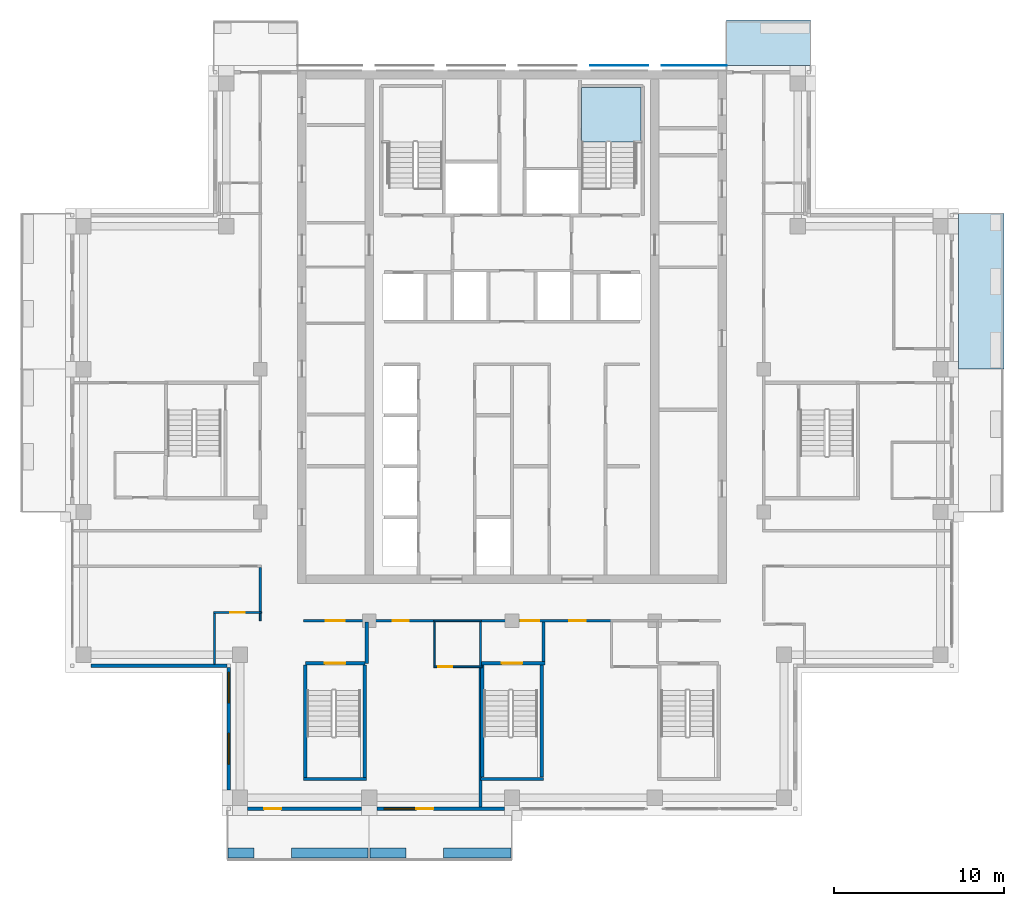
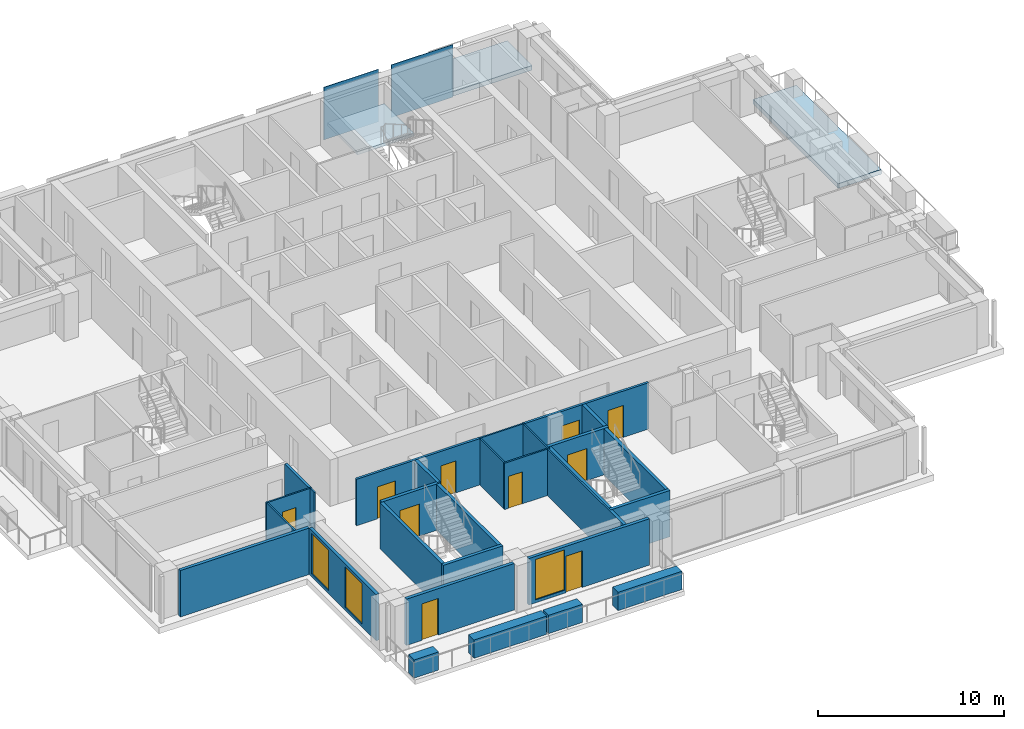
# One storey, part 6 of 16: 29 walls, 10 doors, 3 slabs, 3 windows, 2 plates, 13 openings, 1 element without a shape of its own.
"""IFC4 building model written with IfcOpenShell, lengths in metres."""

from ifc_helpers import new_model, si_unit, direction, frame, frame_2d, origin, origin_2d, place, context, subcontext, project, spatial, polyline, rectangle, outline, extrude, material, layer, layer_set, type_object, element, fill, aggregate, save


model = new_model("IFC4")

# Units and contexts
model_context = context("Model", 3, precision=1e-05, world=origin(), true_north=direction((0.0, 1.0)))
body_context = subcontext(model_context, "Body", "Model", "MODEL_VIEW")
ifc_project = project(units=[si_unit("LENGTHUNIT", "METRE"), si_unit("AREAUNIT", "SQUARE_METRE"), si_unit("VOLUMEUNIT", "CUBIC_METRE"), si_unit("PLANEANGLEUNIT", "RADIAN"), si_unit("MASSUNIT", "GRAM", prefix="KILO")], contexts=[model_context])

# Site, building, storey
site_placement = place(None, origin())
site = spatial("IfcSite", under=ifc_project, at=site_placement, CompositionType="ELEMENT")
building_placement = place(site_placement, origin())
building = spatial("IfcBuilding", under=site, at=building_placement, Name="Vermilion Ogive Tower", CompositionType="ELEMENT")
storey_placement = place(building_placement, frame((0.0, 0.0, 251.050048828125)))
storey = spatial("IfcBuildingStorey", under=building, at=storey_placement, Name="L66", CompositionType="ELEMENT", Elevation=251.050048828125)

# Slabs
ifc_material_1 = material(Name="Concrete B40", Category="concrete")
ifc_layer_1 = layer(ifc_material_1, 0.300048828125)
ifc_layer_set_1 = layer_set([ifc_layer_1], Name="Balcony slab")
slab_type_1 = type_object("IfcSlabType", Name="Balcony slab", PredefinedType="FLOOR", material=ifc_layer_set_1)
slab_1_placement = place(storey_placement, frame((0.0, 0.0, -0.340087890625)))
element("IfcSlab", 1, at=slab_1_placement, inside=storey, type_object=slab_type_1, Name="Balcony slab E03", PredefinedType="FLOOR", context=body_context, shape_type="SweptSolid", body=[
    extrude(outline(polyline([(28.93359375, 4.199951171875), (28.93359375, 13.35009765625), (26.25, 13.35009765625), (26.25, 4.199951171875), (28.93359375, 4.199951171875)])), origin(), (0.0, 0.0, 1.0), 0.300048828125),
])
slab_2_placement = place(storey_placement, frame((0.0, 0.0, -0.340087890625)))
element("IfcSlab", 2, at=slab_2_placement, inside=storey, type_object=slab_type_1, Name="Balcony slab N101", PredefinedType="FLOOR", context=body_context, shape_type="SweptSolid", body=[
    extrude(outline(polyline([(17.550048828125, 24.733642578125), (12.60009765625, 24.733642578125), (12.60009765625, 22.050048828125), (17.550048828125, 22.050048828125), (17.550048828125, 24.733642578125)])), origin(), (0.0, 0.0, 1.0), 0.300048828125),
])

# Plates
ifc_material_2 = material(Name="Low-iron laminated glazing in aluminium frame", Category="aluminium")
ifc_layer_2 = layer(ifc_material_2, 0.031982421875)
ifc_layer_set_2 = layer_set([ifc_layer_2], Name="Glazed rainscreen sheet 32")
plate_type = type_object("IfcPlateType", Name="Glazed rainscreen sheet 32", PredefinedType="SHEET", material=ifc_layer_set_2)
plate_1_placement = place(storey_placement, frame((6.300048828125, 22.06591796875, -0.39990234375), z_axis=(0.0, 0.0, 1.0), x_axis=(1.0, 0.0, 0.0)))
element("IfcPlate", 3, at=plate_1_placement, inside=storey, type_object=plate_type, Name="Glazed rainscreen sheet N5", PredefinedType="SHEET", context=body_context, shape_type="SweptSolid", body=[
    extrude(rectangle(XDim=3.39990234375, YDim=0.031982421875, at=origin_2d()), origin(), (0.0, 0.0, 1.0), 3.449951171875),
])
plate_2_placement = place(storey_placement, frame((10.7099609375, 22.06591796875, -0.39990234375), z_axis=(0.0, 0.0, 1.0), x_axis=(1.0, 0.0, 0.0)))
element("IfcPlate", 4, at=plate_2_placement, inside=storey, type_object=plate_type, Name="Glazed rainscreen sheet N6", PredefinedType="SHEET", context=body_context, shape_type="SweptSolid", body=[
    extrude(rectangle(XDim=3.820068359375, YDim=0.031982421875, at=origin_2d()), origin(), (0.0, 0.0, 1.0), 3.449951171875),
])

# Stair, slab
ifc_material_3 = material(Name="Concrete B40", Category="concrete")
stair_type = type_object("IfcStairType", Name="Exit stair 1500", PredefinedType="HALF_TURN_STAIR", material=ifc_material_3)
stair_placement = place(storey_placement, origin())
stair = element("IfcStair", 5, at=stair_placement, inside=storey, type_object=stair_type, Name="L66 Exit Stair ST2", PredefinedType="HALF_TURN_STAIR")
ifc_material_4 = material(Name="Concrete B40", Category="concrete")
ifc_layer_3 = layer(ifc_material_4, 0.199951171875)
ifc_layer_set_3 = layer_set([ifc_layer_3], Name="Stair landing 200")
slab_type_2 = type_object("IfcSlabType", Name="Stair landing 200", PredefinedType="LANDING", material=ifc_layer_set_3)
slab_3_placement = place(storey_placement, frame((0.0, 0.0, 1.52490234375)))
slab_3 = element("IfcSlab", 6, at=slab_3_placement, type_object=slab_type_2, Name="ST2 landing 1", PredefinedType="LANDING", context=body_context, shape_type="SweptSolid", body=[
    extrude(outline(polyline([(5.60009765625, 17.550048828125), (5.75, 17.550048828125), (5.75, 17.548095703125), (7.25, 17.548095703125), (7.25, 17.550048828125), (7.60009765625, 17.550048828125), (7.60009765625, 20.75), (4.074951171875, 20.75), (4.074951171875, 17.550048828125), (4.10009765625, 17.550048828125), (4.10009765625, 17.548095703125), (5.60009765625, 17.548095703125), (5.60009765625, 17.550048828125)])), origin(), (0.0, 0.0, 1.0), 0.199951171875),
])
aggregate(stair, [slab_3])

# Wall, opening, door
ifc_material_5 = material(Name="Gypsum board partition on steel studs", Category="steel")
ifc_layer_4 = layer(ifc_material_5, 0.10009765625)
ifc_layer_set_4 = layer_set([ifc_layer_4], Name="Partition 100 bath")
wall_type_1 = type_object("IfcWallType", Name="Partition 100 bath", PredefinedType="PARTITIONING", material=ifc_layer_set_4)
wall_1_placement = place(storey_placement, frame((-4.60009765625, -13.300048828125, 0.0), z_axis=(0.0, 0.0, 1.0), x_axis=(1.0, 0.0, 0.0)))
wall_1 = element("IfcWall", 7, at=wall_1_placement, inside=storey, type_object=wall_type_1, Name="L66-W-W002", PredefinedType="PARTITIONING", context=body_context, shape_type="SweptSolid", body=[
    extrude(rectangle(XDim=2.85009765625, YDim=0.10009765625, at=frame_2d((1.425048828125, 0.0))), origin(), (0.0, 0.0, 1.0), 3.050048828125),
])
opening_1_placement = place(wall_1_placement, frame((0.25, 0.0, 0.0)))
opening_1 = element("IfcOpeningElement", 8, at=opening_1_placement, cuts=wall_1, Name="Opening D5G4009", PredefinedType="OPENING", context=body_context, shape_type="SweptSolid", body=[
    extrude(rectangle(XDim=0.85009765625, YDim=2.10009765625, at=frame_2d((0.425048828125, 1.050048828125))), frame((0.0, 0.06005859375, 0.0), z_axis=(0.0, -1.0, 0.0), x_axis=(1.0, 0.0, 0.0)), (0.0, 0.0, 1.0), 0.1201171875),
])
ifc_material_6 = material(Name="Timber door leaf", Category="wood")
door_type_1 = type_object("IfcDoorType", Name="Bath door 850 x 2100 FD30", OperationType="SINGLE_SWING_LEFT", PredefinedType="DOOR", material=ifc_material_6)
door_1_placement = place(opening_1_placement, origin())
door_1 = element("IfcDoor", 9, at=door_1_placement, inside=storey, type_object=door_type_1, Name="L66-D-D009", OperationType="SINGLE_SWING_LEFT", OverallHeight=2.10009765625, OverallWidth=0.85009765625, PredefinedType="DOOR", context=body_context, shape_type="SweptSolid", body=[
    extrude(rectangle(XDim=0.85009765625, YDim=2.10009765625, at=frame_2d((0.425048828125, 1.050048828125))), frame((0.0, 0.02490234375, 0.0), z_axis=(0.0, -1.0, 0.0), x_axis=(1.0, 0.0, 0.0)), (0.0, 0.0, 1.0), 0.050048828125),
])
fill(opening_1, door_1)

# Wall
wall_2_placement = place(storey_placement, frame((-4.60009765625, -10.60009765625, 0.0), z_axis=(0.0, 0.0, 1.0), x_axis=(1.0, 0.0, 0.0)))
element("IfcWall", 10, at=wall_2_placement, inside=storey, type_object=wall_type_1, Name="L66-W-W009", PredefinedType="PARTITIONING", context=body_context, shape_type="SweptSolid", body=[
    extrude(rectangle(XDim=2.800048828125, YDim=0.10009765625, at=frame_2d((1.39990234375, 0.0))), origin(), (0.0, 0.0, 1.0), 3.050048828125),
])

# Wall, opening, door
wall_3_placement = place(storey_placement, frame((-17.550048828125, -10.110107421875, 0.0), z_axis=(0.0, 0.0, 1.0), x_axis=(1.0, 0.0, 0.0)))
wall_3 = element("IfcWall", 11, at=wall_3_placement, inside=storey, type_object=wall_type_1, Name="L66-W-W013", PredefinedType="PARTITIONING", context=body_context, shape_type="SweptSolid", body=[
    extrude(rectangle(XDim=2.824951171875, YDim=0.10009765625, at=frame_2d((1.41259765625, 0.0))), origin(), (0.0, 0.0, 1.0), 3.050048828125),
])
opening_2_placement = place(wall_3_placement, frame((0.97509765625, 0.0, 0.0)))
opening_2 = element("IfcOpeningElement", 12, at=opening_2_placement, cuts=wall_3, Name="Opening D5G4002", PredefinedType="OPENING", context=body_context, shape_type="SweptSolid", body=[
    extrude(rectangle(XDim=0.85009765625, YDim=2.10009765625, at=frame_2d((0.425048828125, 1.050048828125))), frame((0.0, 0.06005859375, 0.0), z_axis=(0.0, -1.0, 0.0), x_axis=(1.0, 0.0, 0.0)), (0.0, 0.0, 1.0), 0.1201171875),
])
door_2_placement = place(opening_2_placement, origin())
door_2 = element("IfcDoor", 13, at=door_2_placement, inside=storey, type_object=door_type_1, Name="L66-D-D002", OperationType="SINGLE_SWING_RIGHT", OverallHeight=2.10009765625, OverallWidth=0.85009765625, PredefinedType="DOOR", context=body_context, shape_type="SweptSolid", body=[
    extrude(rectangle(XDim=0.85009765625, YDim=2.10009765625, at=frame_2d((0.425048828125, 1.050048828125))), frame((0.0, 0.02490234375, 0.0), z_axis=(0.0, -1.0, 0.0), x_axis=(1.0, 0.0, 0.0)), (0.0, 0.0, 1.0), 0.050048828125),
])
fill(opening_2, door_2)

# Walls
wall_4_placement = place(storey_placement, frame((-17.5, -13.14990234375, 0.0), z_axis=(0.0, 0.0, 1.0), x_axis=(0.0, 1.0, 0.0)))
element("IfcWall", 14, at=wall_4_placement, inside=storey, type_object=wall_type_1, Name="L66-W-W038", PredefinedType="PARTITIONING", context=body_context, shape_type="SweptSolid", body=[
    extrude(rectangle(XDim=2.989990234375, YDim=0.10009765625, at=frame_2d((1.4951171875, 0.0))), origin(), (0.0, 0.0, 1.0), 3.050048828125),
])
wall_5_placement = place(storey_placement, frame((-14.800048828125, -10.60009765625, 0.0), z_axis=(0.0, 0.0, 1.0), x_axis=(0.0, 1.0, 0.0)))
element("IfcWall", 15, at=wall_5_placement, inside=storey, type_object=wall_type_1, Name="L66-W-W041", PredefinedType="PARTITIONING", context=body_context, shape_type="SweptSolid", body=[
    extrude(rectangle(XDim=0.440185546875, YDim=0.10009765625, at=frame_2d((0.22021484375, 0.0))), origin(), (0.0, 0.0, 1.0), 3.050048828125),
])
for number, where, z_axis, x_axis, name in (
    (16, (-4.550048828125, -13.25, 0.0), (0.0, 0.0, 1.0), (0.0, 1.0, 0.0), "L66-W-W047"),
    (17, (-1.85009765625, -13.25, 0.0), (0.0, 0.0, 1.0), (0.0, 1.0, 0.0), "L66-W-W049"),
):
    element("IfcWall", number, at=place(storey_placement, frame(where, z_axis=z_axis, x_axis=x_axis)), inside=storey, type_object=wall_type_1, Name=name, PredefinedType="PARTITIONING", context=body_context, shape_type="SweptSolid", body=[
        extrude(rectangle(XDim=2.574951171875, YDim=0.10009765625, at=frame_2d((1.28759765625, 0.0))), origin(), (0.0, 0.0, 1.0), 3.050048828125),
    ])

# Wall, openings, doors
ifc_material_7 = material(Name="Gypsum board partition on steel studs", Category="steel")
ifc_layer_5 = layer(ifc_material_7, 0.14990234375)
ifc_layer_set_5 = layer_set([ifc_layer_5], Name="Partition 150 corridor")
wall_type_2 = type_object("IfcWallType", Name="Partition 150 corridor", PredefinedType="PARTITIONING", material=ifc_layer_set_5)
wall_6_placement = place(storey_placement, frame((-12.25, -10.60009765625, 0.0), z_axis=(0.0, 0.0, 1.0), x_axis=(1.0, 0.0, 0.0)))
wall_6 = element("IfcWall", 18, at=wall_6_placement, inside=storey, type_object=wall_type_2, Name="L66-W-W008", PredefinedType="PARTITIONING", context=body_context, shape_type="SweptSolid", body=[
    extrude(rectangle(XDim=7.75, YDim=0.14990234375, at=frame_2d((3.875, 0.0))), origin(), (0.0, 0.0, 1.0), 3.050048828125),
])
opening_3_placement = place(wall_6_placement, frame((5.22509765625, 0.0, 0.0)))
opening_3 = element("IfcOpeningElement", 19, at=opening_3_placement, cuts=wall_6, Name="Opening D5G4008", PredefinedType="OPENING", context=body_context, shape_type="SweptSolid", body=[
    extrude(rectangle(XDim=0.949951171875, YDim=2.10009765625, at=frame_2d((0.47509765625, 1.050048828125))), frame((0.0, 0.0849609375, 0.0), z_axis=(0.0, -1.0, 0.0), x_axis=(1.0, 0.0, 0.0)), (0.0, 0.0, 1.0), 0.169921875),
])
opening_4_placement = place(wall_6_placement, frame((1.300048828125, 0.0, 0.0)))
opening_4 = element("IfcOpeningElement", 20, at=opening_4_placement, cuts=wall_6, Name="Opening D5G4020", PredefinedType="OPENING", context=body_context, shape_type="SweptSolid", body=[
    extrude(rectangle(XDim=1.10009765625, YDim=2.10009765625, at=frame_2d((0.550048828125, 1.050048828125))), frame((0.0, 0.0849609375, 0.0), z_axis=(0.0, -1.0, 0.0), x_axis=(1.0, 0.0, 0.0)), (0.0, 0.0, 1.0), 0.169921875),
])
ifc_material_8 = material(Name="Timber door leaf", Category="wood")
door_type_2 = type_object("IfcDoorType", Name="Stair door 1100 x 2100 FD60S", OperationType="SINGLE_SWING_LEFT", PredefinedType="DOOR", material=ifc_material_8)
door_3_placement = place(opening_4_placement, origin())
door_3 = element("IfcDoor", 21, at=door_3_placement, inside=storey, type_object=door_type_2, Name="L66-D-D020", OperationType="SINGLE_SWING_RIGHT", OverallHeight=2.10009765625, OverallWidth=1.10009765625, PredefinedType="DOOR", context=body_context, shape_type="SweptSolid", body=[
    extrude(rectangle(XDim=1.10009765625, YDim=2.10009765625, at=frame_2d((0.550048828125, 1.050048828125))), frame((0.0, 0.02490234375, 0.0), z_axis=(0.0, -1.0, 0.0), x_axis=(1.0, 0.0, 0.0)), (0.0, 0.0, 1.0), 0.050048828125),
])
fill(opening_4, door_3)
ifc_material_9 = material(Name="Timber door leaf", Category="wood")
door_type_3 = type_object("IfcDoorType", Name="Unit door 950 x 2100 FD30S", OperationType="SINGLE_SWING_LEFT", PredefinedType="DOOR", material=ifc_material_9)
door_4_placement = place(opening_3_placement, origin())
door_4 = element("IfcDoor", 22, at=door_4_placement, inside=storey, type_object=door_type_3, Name="L66-D-D008", OperationType="SINGLE_SWING_LEFT", OverallHeight=2.10009765625, OverallWidth=0.949951171875, PredefinedType="DOOR", context=body_context, shape_type="SweptSolid", body=[
    extrude(rectangle(XDim=0.949951171875, YDim=2.10009765625, at=frame_2d((0.47509765625, 1.050048828125))), frame((0.0, 0.02490234375, 0.0), z_axis=(0.0, -1.0, 0.0), x_axis=(1.0, 0.0, 0.0)), (0.0, 0.0, 1.0), 0.050048828125),
])
fill(opening_3, door_4)

wall_7_placement = place(storey_placement, frame((-1.89990234375, -10.60009765625, 0.0), z_axis=(0.0, 0.0, 1.0), x_axis=(1.0, 0.0, 0.0)))
wall_7 = element("IfcWall", 23, at=wall_7_placement, inside=storey, type_object=wall_type_2, Name="L66-W-W010", PredefinedType="PARTITIONING", context=body_context, shape_type="SweptSolid", body=[
    extrude(rectangle(XDim=7.7998046875, YDim=0.14990234375, at=frame_2d((3.89990234375, 0.0))), origin(), (0.0, 0.0, 1.0), 3.050048828125),
])
opening_5_placement = place(wall_7_placement, frame((5.27490234375, 0.0, 0.0)))
opening_5 = element("IfcOpeningElement", 24, at=opening_5_placement, cuts=wall_7, Name="Opening D5G4010", PredefinedType="OPENING", context=body_context, shape_type="SweptSolid", body=[
    extrude(rectangle(XDim=0.949951171875, YDim=2.10009765625, at=frame_2d((0.47509765625, 1.050048828125))), frame((0.0, 0.0849609375, 0.0), z_axis=(0.0, -1.0, 0.0), x_axis=(1.0, 0.0, 0.0)), (0.0, 0.0, 1.0), 0.169921875),
])
opening_6_placement = place(wall_7_placement, frame((2.39990234375, 0.0, 0.0)))
opening_6 = element("IfcOpeningElement", 25, at=opening_6_placement, cuts=wall_7, Name="Opening D5G4022", PredefinedType="OPENING", context=body_context, shape_type="SweptSolid", body=[
    extrude(rectangle(XDim=1.10009765625, YDim=2.10009765625, at=frame_2d((0.550048828125, 1.050048828125))), frame((0.0, 0.0849609375, 0.0), z_axis=(0.0, -1.0, 0.0), x_axis=(1.0, 0.0, 0.0)), (0.0, 0.0, 1.0), 0.169921875),
])
door_5_placement = place(opening_6_placement, origin())
door_5 = element("IfcDoor", 26, at=door_5_placement, inside=storey, type_object=door_type_2, Name="L66-D-D022", OperationType="SINGLE_SWING_LEFT", OverallHeight=2.10009765625, OverallWidth=1.10009765625, PredefinedType="DOOR", context=body_context, shape_type="SweptSolid", body=[
    extrude(rectangle(XDim=1.10009765625, YDim=2.10009765625, at=frame_2d((0.550048828125, 1.050048828125))), frame((0.0, 0.02490234375, 0.0), z_axis=(0.0, -1.0, 0.0), x_axis=(1.0, 0.0, 0.0)), (0.0, 0.0, 1.0), 0.050048828125),
])
fill(opening_6, door_5)
door_6_placement = place(opening_5_placement, origin())
door_6 = element("IfcDoor", 27, at=door_6_placement, inside=storey, type_object=door_type_3, Name="L66-D-D010", OperationType="SINGLE_SWING_LEFT", OverallHeight=2.10009765625, OverallWidth=0.949951171875, PredefinedType="DOOR", context=body_context, shape_type="SweptSolid", body=[
    extrude(rectangle(XDim=0.949951171875, YDim=2.10009765625, at=frame_2d((0.47509765625, 1.050048828125))), frame((0.0, 0.02490234375, 0.0), z_axis=(0.0, -1.0, 0.0), x_axis=(1.0, 0.0, 0.0)), (0.0, 0.0, 1.0), 0.050048828125),
])
fill(opening_5, door_6)

# Walls
wall_8_placement = place(storey_placement, frame((-14.800048828125, -10.06005859375, 0.0), z_axis=(0.0, 0.0, 1.0), x_axis=(0.0, 1.0, 0.0)))
element("IfcWall", 28, at=wall_8_placement, inside=storey, type_object=wall_type_2, Name="L66-W-W042", PredefinedType="PARTITIONING", context=body_context, shape_type="SweptSolid", body=[
    extrude(rectangle(XDim=2.5849609375, YDim=0.14990234375, at=frame_2d((1.29248046875, 0.0))), origin(), (0.0, 0.0, 1.0), 3.050048828125),
])
ifc_material_10 = material(Name="Gypsum board partition on steel studs", Category="steel")
ifc_layer_6 = layer(ifc_material_10, 0.199951171875)
ifc_layer_set_6 = layer_set([ifc_layer_6], Name="Partition 200 party")
wall_type_3 = type_object("IfcWallType", Name="Partition 200 party", PredefinedType="PARTITIONING", material=ifc_layer_set_6)
wall_9_placement = place(storey_placement, frame((-8.550048828125, -13.10009765625, 0.0), z_axis=(0.0, 0.0, 1.0), x_axis=(0.0, 1.0, 0.0)))
element("IfcWall", 29, at=wall_9_placement, inside=storey, type_object=wall_type_3, Name="L66-W-W046", PredefinedType="PARTITIONING", context=body_context, shape_type="SweptSolid", body=[
    extrude(rectangle(XDim=2.425048828125, YDim=0.199951171875, at=frame_2d((1.21240234375, 0.0))), origin(), (0.0, 0.0, 1.0), 3.050048828125),
])
wall_10_placement = place(storey_placement, frame((1.85009765625, -12.998046875, 0.0), z_axis=(0.0, 0.0, 1.0), x_axis=(0.0, 1.0, 0.0)))
element("IfcWall", 30, at=wall_10_placement, inside=storey, type_object=wall_type_3, Name="L66-W-W052", PredefinedType="PARTITIONING", context=body_context, shape_type="SweptSolid", body=[
    extrude(rectangle(XDim=2.322998046875, YDim=0.199951171875, at=frame_2d((1.16162109375, 0.0))), origin(), (0.0, 0.0, 1.0), 3.050048828125),
])
ifc_material_11 = material(Name="Concrete B60", Category="concrete")
ifc_layer_7 = layer(ifc_material_11, 0.199951171875)
ifc_layer_set_7 = layer_set([ifc_layer_7], Name="Stair shaft wall 200 Concrete B60")
wall_type_4 = type_object("IfcWallType", Name="Stair shaft wall 200 Concrete B60", PredefinedType="SOLIDWALL", material=ifc_layer_set_7)
wall_11_placement = place(storey_placement, frame((-1.847900390625, -19.89990234375, 0.0), z_axis=(0.0, 0.0, 1.0), x_axis=(1.0, 0.0, 0.0)))
element("IfcWall", 31, at=wall_11_placement, inside=storey, type_object=wall_type_4, Name="L66-W-W001", PredefinedType="SOLIDWALL", context=body_context, shape_type="SweptSolid", body=[
    extrude(rectangle(XDim=3.69580078125, YDim=0.199951171875, at=frame_2d((1.847900390625, 0.0))), origin(), (0.0, 0.0, 1.0), 3.050048828125),
])

# Wall, opening, door
wall_12_placement = place(storey_placement, frame((-12.14990234375, -13.10009765625, 0.0), z_axis=(0.0, 0.0, 1.0), x_axis=(1.0, 0.0, 0.0)))
wall_12 = element("IfcWall", 32, at=wall_12_placement, inside=storey, type_object=wall_type_4, Name="L66-W-W004", PredefinedType="SOLIDWALL", context=body_context, shape_type="SweptSolid", body=[
    extrude(rectangle(XDim=3.5, YDim=0.199951171875, at=frame_2d((1.75, 0.0))), origin(), (0.0, 0.0, 1.0), 3.050048828125),
])
opening_7_placement = place(wall_12_placement, frame((1.14990234375, 0.0, 0.0)))
opening_7 = element("IfcOpeningElement", 33, at=opening_7_placement, cuts=wall_12, Name="Opening D5G4021", PredefinedType="OPENING", context=body_context, shape_type="SweptSolid", body=[
    extrude(rectangle(XDim=1.199951171875, YDim=2.10009765625, at=frame_2d((0.60009765625, 1.050048828125))), frame((0.0, 0.10986328125, 0.0), z_axis=(0.0, -1.0, 0.0), x_axis=(1.0, 0.0, 0.0)), (0.0, 0.0, 1.0), 0.219970703125),
])
ifc_material_12 = material(Name="Timber door leaf", Category="wood")
door_type_4 = type_object("IfcDoorType", Name="Stair door 1200 x 2100 FD60S", OperationType="SINGLE_SWING_LEFT", PredefinedType="DOOR", material=ifc_material_12)
door_7_placement = place(opening_7_placement, origin())
door_7 = element("IfcDoor", 34, at=door_7_placement, inside=storey, type_object=door_type_4, Name="L66-D-D021", OperationType="SINGLE_SWING_RIGHT", OverallHeight=2.10009765625, OverallWidth=1.199951171875, PredefinedType="DOOR", context=body_context, shape_type="SweptSolid", body=[
    extrude(rectangle(XDim=1.199951171875, YDim=2.10009765625, at=frame_2d((0.60009765625, 1.050048828125))), frame((0.0, 0.02490234375, 0.0), z_axis=(0.0, -1.0, 0.0), x_axis=(1.0, 0.0, 0.0)), (0.0, 0.0, 1.0), 0.050048828125),
])
fill(opening_7, door_7)

wall_13_placement = place(storey_placement, frame((-1.798095703125, -13.10009765625, 0.0), z_axis=(0.0, 0.0, 1.0), x_axis=(1.0, 0.0, 0.0)))
wall_13 = element("IfcWall", 35, at=wall_13_placement, inside=storey, type_object=wall_type_4, Name="L66-W-W005", PredefinedType="SOLIDWALL", context=body_context, shape_type="SweptSolid", body=[
    extrude(rectangle(XDim=3.74609375, YDim=0.199951171875, at=frame_2d((1.873046875, 0.0))), origin(), (0.0, 0.0, 1.0), 3.050048828125),
])
opening_8_placement = place(wall_13_placement, frame((1.197998046875, 0.0, 0.0)))
opening_8 = element("IfcOpeningElement", 36, at=opening_8_placement, cuts=wall_13, Name="Opening D5G4023", PredefinedType="OPENING", context=body_context, shape_type="SweptSolid", body=[
    extrude(rectangle(XDim=1.199951171875, YDim=2.10009765625, at=frame_2d((0.60009765625, 1.050048828125))), frame((0.0, 0.10986328125, 0.0), z_axis=(0.0, -1.0, 0.0), x_axis=(1.0, 0.0, 0.0)), (0.0, 0.0, 1.0), 0.219970703125),
])
door_8_placement = place(opening_8_placement, origin())
door_8 = element("IfcDoor", 37, at=door_8_placement, inside=storey, type_object=door_type_4, Name="L66-D-D023", OperationType="SINGLE_SWING_RIGHT", OverallHeight=2.10009765625, OverallWidth=1.199951171875, PredefinedType="DOOR", context=body_context, shape_type="SweptSolid", body=[
    extrude(rectangle(XDim=1.199951171875, YDim=2.10009765625, at=frame_2d((0.60009765625, 1.050048828125))), frame((0.0, 0.02490234375, 0.0), z_axis=(0.0, -1.0, 0.0), x_axis=(1.0, 0.0, 0.0)), (0.0, 0.0, 1.0), 0.050048828125),
])
fill(opening_8, door_8)

# Walls
for number, where, z_axis, x_axis, name in (
    (38, (-1.75, -19.798095703125, 0.0), (0.0, 0.0, 1.0), (0.0, 1.0, 0.0), "L66-W-W050"),
    (39, (1.75, -19.798095703125, 0.0), (0.0, 0.0, 1.0), (0.0, 1.0, 0.0), "L66-W-W051"),
):
    element("IfcWall", number, at=place(storey_placement, frame(where, z_axis=z_axis, x_axis=x_axis)), inside=storey, type_object=wall_type_4, Name=name, PredefinedType="SOLIDWALL", context=body_context, shape_type="SweptSolid", body=[
        extrude(rectangle(XDim=6.59619140625, YDim=0.199951171875, at=frame_2d((3.298095703125, 0.0))), origin(), (0.0, 0.0, 1.0), 3.050048828125),
    ])
wall_14_placement = place(storey_placement, frame((-12.25, -19.89990234375, 0.0), z_axis=(0.0, 0.0, 1.0), x_axis=(1.0, 0.0, 0.0)))
element("IfcWall", 40, at=wall_14_placement, inside=storey, type_object=wall_type_4, Name="L66-SW-ST3-S1", PredefinedType="SOLIDWALL", context=body_context, shape_type="SweptSolid", body=[
    extrude(rectangle(XDim=3.699951171875, YDim=0.199951171875, at=frame_2d((1.85009765625, 0.0))), origin(), (0.0, 0.0, 1.0), 3.050048828125),
])
for number, where, z_axis, x_axis, name in (
    (41, (-12.14990234375, -19.800048828125, 0.0), (0.0, 0.0, 1.0), (0.0, 1.0, 0.0), "L66-SW-ST3-W1"),
    (42, (-8.64990234375, -19.800048828125, 0.0), (0.0, 0.0, 1.0), (0.0, 1.0, 0.0), "L66-SW-ST3-E1"),
):
    element("IfcWall", number, at=place(storey_placement, frame(where, z_axis=z_axis, x_axis=x_axis)), inside=storey, type_object=wall_type_4, Name=name, PredefinedType="SOLIDWALL", context=body_context, shape_type="SweptSolid", body=[
        extrude(rectangle(XDim=6.60009765625, YDim=0.199951171875, at=frame_2d((3.300048828125, 0.0))), origin(), (0.0, 0.0, 1.0), 3.050048828125),
    ])
wall_15_placement = place(storey_placement, frame((-1.85009765625, -21.550048828125, 0.0), z_axis=(0.0, 0.0, 1.0), x_axis=(0.0, 1.0, 0.0)))
element("IfcWall", 43, at=wall_15_placement, inside=storey, type_object=wall_type_4, Name="L66-W-W048-A", PredefinedType="SOLIDWALL", context=body_context, shape_type="SweptSolid", body=[
    extrude(rectangle(XDim=8.199951171875, YDim=0.199951171875, at=frame_2d((4.10009765625, 0.0))), origin(), (0.0, 0.0, 1.0), 3.050048828125),
])
ifc_material_13 = material(Name="Concrete B40", Category="concrete")
ifc_layer_8 = layer(ifc_material_13, 0.60009765625)
ifc_layer_set_8 = layer_set([ifc_layer_8], Name="Structural planter")
wall_type_5 = type_object("IfcWallType", Name="Structural planter", PredefinedType="USERDEFINED", material=ifc_layer_set_8)
wall_16_placement = place(storey_placement, frame((-16.68994140625, -24.253662109375, -0.0400390625), z_axis=(0.0, 0.0, 1.0), x_axis=(1.0, 0.0, 0.0)))
element("IfcWall", 44, at=wall_16_placement, inside=storey, type_object=wall_type_5, Name="Planter S01A1", ObjectType="PLANTER", PredefinedType="USERDEFINED", context=body_context, shape_type="SweptSolid", body=[
    extrude(rectangle(XDim=1.514892578125, YDim=0.60009765625, at=frame_2d((0.75732421875, 0.0))), origin(), (0.0, 0.0, 1.0), 1.199951171875),
])
wall_17_placement = place(storey_placement, frame((-12.97509765625, -24.253662109375, -0.0400390625), z_axis=(0.0, 0.0, 1.0), x_axis=(1.0, 0.0, 0.0)))
element("IfcWall", 45, at=wall_17_placement, inside=storey, type_object=wall_type_5, Name="Planter S01A2", ObjectType="PLANTER", PredefinedType="USERDEFINED", context=body_context, shape_type="SweptSolid", body=[
    extrude(rectangle(XDim=4.51513671875, YDim=0.60009765625, at=frame_2d((2.257568359375, 0.0))), origin(), (0.0, 0.0, 1.0), 1.199951171875),
])
wall_18_placement = place(storey_placement, frame((-8.340087890625, -24.253662109375, -0.0400390625), z_axis=(0.0, 0.0, 1.0), x_axis=(1.0, 0.0, 0.0)))
element("IfcWall", 46, at=wall_18_placement, inside=storey, type_object=wall_type_5, Name="Planter S02A1", ObjectType="PLANTER", PredefinedType="USERDEFINED", context=body_context, shape_type="SweptSolid", body=[
    extrude(rectangle(XDim=2.114990234375, YDim=0.60009765625, at=frame_2d((1.0576171875, 0.0))), origin(), (0.0, 0.0, 1.0), 1.199951171875),
])
wall_19_placement = place(storey_placement, frame((-4.02490234375, -24.253662109375, -0.0400390625), z_axis=(0.0, 0.0, 1.0), x_axis=(1.0, 0.0, 0.0)))
element("IfcWall", 47, at=wall_19_placement, inside=storey, type_object=wall_type_5, Name="Planter S02A2", ObjectType="PLANTER", PredefinedType="USERDEFINED", context=body_context, shape_type="SweptSolid", body=[
    extrude(rectangle(XDim=3.96484375, YDim=0.60009765625, at=frame_2d((1.982421875, 0.0))), origin(), (0.0, 0.0, 1.0), 1.199951171875),
])

# Wall, opening, door
ifc_material_14 = material(Name="Aluminium window wall framing", Category="aluminium")
ifc_layer_9 = layer(ifc_material_14, 0.199951171875)
ifc_layer_set_9 = layer_set([ifc_layer_9], Name="Window wall")
wall_type_6 = type_object("IfcWallType", Name="Window wall", PredefinedType="STANDARD", material=ifc_layer_set_9)
wall_20_placement = place(storey_placement, frame((-15.550048828125, -21.64990234375, 0.0), z_axis=(0.0, 0.0, 1.0), x_axis=(1.0, 0.0, 0.0)))
wall_20 = element("IfcWall", 48, at=wall_20_placement, inside=storey, type_object=wall_type_6, Name="Window wall S1", PredefinedType="STANDARD", context=body_context, shape_type="SweptSolid", body=[
    extrude(rectangle(XDim=6.699951171875, YDim=0.199951171875, at=frame_2d((3.35009765625, 0.0))), origin(), (0.0, 0.0, 1.0), 3.050048828125),
])
opening_9_placement = place(wall_20_placement, frame((0.97509765625, 0.0, 0.0)))
opening_9 = element("IfcOpeningElement", 49, at=opening_9_placement, cuts=wall_20, Name="Opening D1-S96K", PredefinedType="OPENING", context=body_context, shape_type="SweptSolid", body=[
    extrude(rectangle(XDim=1.0, YDim=2.39990234375, at=frame_2d((0.5, 1.199951171875))), frame((0.0, 0.10986328125, 0.0), z_axis=(0.0, -1.0, 0.0), x_axis=(1.0, 0.0, 0.0)), (0.0, 0.0, 1.0), 0.219970703125),
])
ifc_material_15 = material(Name="Aluminium framed glazed door", Category="aluminium")
door_type_5 = type_object("IfcDoorType", Name="Balcony door D1", OperationType="SINGLE_SWING_LEFT", PredefinedType="DOOR", material=ifc_material_15)
door_9_placement = place(opening_9_placement, origin())
door_9 = element("IfcDoor", 50, at=door_9_placement, inside=storey, type_object=door_type_5, Name="Balcony door S96K", OperationType="SINGLE_SWING_LEFT", OverallHeight=2.39990234375, OverallWidth=1.0, PredefinedType="DOOR", context=body_context, shape_type="SweptSolid", body=[
    extrude(rectangle(XDim=1.0, YDim=2.39990234375, at=frame_2d((0.5, 1.199951171875))), frame((0.0, 0.02490234375, 0.0), z_axis=(0.0, -1.0, 0.0), x_axis=(1.0, 0.0, 0.0)), (0.0, 0.0, 1.0), 0.050048828125),
])
fill(opening_9, door_9)

# Wall, openings, door, window
wall_21_placement = place(storey_placement, frame((-7.949951171875, -21.64990234375, 0.0), z_axis=(0.0, 0.0, 1.0), x_axis=(1.0, 0.0, 0.0)))
wall_21 = element("IfcWall", 51, at=wall_21_placement, inside=storey, type_object=wall_type_6, Name="Window wall S2", PredefinedType="STANDARD", context=body_context, shape_type="SweptSolid", body=[
    extrude(rectangle(XDim=7.5, YDim=0.199951171875, at=frame_2d((3.75, 0.0))), origin(), (0.0, 0.0, 1.0), 3.050048828125),
])
opening_10_placement = place(wall_21_placement, frame((0.425048828125, 0.0, 0.199951171875)))
opening_10 = element("IfcOpeningElement", 52, at=opening_10_placement, cuts=wall_21, Name="Opening W1-S98", PredefinedType="OPENING", context=body_context, shape_type="SweptSolid", body=[
    extrude(rectangle(XDim=1.800048828125, YDim=2.64990234375, at=frame_2d((0.89990234375, 1.324951171875))), frame((0.0, 0.10986328125, 0.0), z_axis=(0.0, -1.0, 0.0), x_axis=(1.0, 0.0, 0.0)), (0.0, 0.0, 1.0), 0.219970703125),
])
opening_11_placement = place(wall_21_placement, frame((2.324951171875, 0.0, 0.0)))
opening_11 = element("IfcOpeningElement", 53, at=opening_11_placement, cuts=wall_21, Name="Opening D1-S98", PredefinedType="OPENING", context=body_context, shape_type="SweptSolid", body=[
    extrude(rectangle(XDim=1.0, YDim=2.39990234375, at=frame_2d((0.5, 1.199951171875))), frame((0.0, 0.10986328125, 0.0), z_axis=(0.0, -1.0, 0.0), x_axis=(1.0, 0.0, 0.0)), (0.0, 0.0, 1.0), 0.219970703125),
])
door_10_placement = place(opening_11_placement, origin())
door_10 = element("IfcDoor", 54, at=door_10_placement, inside=storey, type_object=door_type_5, Name="Balcony door S98", OperationType="SINGLE_SWING_LEFT", OverallHeight=2.39990234375, OverallWidth=1.0, PredefinedType="DOOR", context=body_context, shape_type="SweptSolid", body=[
    extrude(rectangle(XDim=1.0, YDim=2.39990234375, at=frame_2d((0.5, 1.199951171875))), frame((0.0, 0.02490234375, 0.0), z_axis=(0.0, -1.0, 0.0), x_axis=(1.0, 0.0, 0.0)), (0.0, 0.0, 1.0), 0.050048828125),
])
fill(opening_11, door_10)
ifc_material_16 = material(Name="Aluminium framed double glazing", Category="aluminium")
window_type = type_object("IfcWindowType", Name="Guest window W1", PartitioningType="SINGLE_PANEL", PredefinedType="WINDOW", material=ifc_material_16)
window_1_placement = place(opening_10_placement, origin())
window_1 = element("IfcWindow", 55, at=window_1_placement, inside=storey, type_object=window_type, Name="Window S98", OverallHeight=2.64990234375, OverallWidth=1.800048828125, PartitioningType="SINGLE_PANEL", PredefinedType="WINDOW", context=body_context, shape_type="SweptSolid", body=[
    extrude(rectangle(XDim=1.800048828125, YDim=2.64990234375, at=frame_2d((0.89990234375, 1.324951171875))), frame((0.0, 0.030029296875, 0.0), z_axis=(0.0, -1.0, 0.0), x_axis=(1.0, 0.0, 0.0)), (0.0, 0.0, 1.0), 0.06005859375),
])
fill(opening_10, window_1)

# Wall
wall_22_placement = place(storey_placement, frame((-24.75, -13.25, 0.0), z_axis=(0.0, 0.0, 1.0), x_axis=(1.0, 0.0, 0.0)))
element("IfcWall", 56, at=wall_22_placement, inside=storey, type_object=wall_type_6, Name="Window wall X71", PredefinedType="STANDARD", context=body_context, shape_type="SweptSolid", body=[
    extrude(rectangle(XDim=8.0, YDim=0.199951171875, at=frame_2d((4.0, 0.0))), origin(), (0.0, 0.0, 1.0), 3.050048828125),
])

# Wall, openings, windows
wall_23_placement = place(storey_placement, frame((-16.64990234375, -13.35009765625, 0.0), z_axis=(0.0, 0.0, 1.0), x_axis=(0.0, -1.0, 0.0)))
wall_23 = element("IfcWall", 57, at=wall_23_placement, inside=storey, type_object=wall_type_6, Name="Window wall X81", PredefinedType="STANDARD", context=body_context, shape_type="SweptSolid", body=[
    extrude(rectangle(XDim=7.199951171875, YDim=0.199951171875, at=frame_2d((3.60009765625, 0.0))), origin(), (0.0, 0.0, 1.0), 3.050048828125),
])
opening_12_placement = place(wall_23_placement, frame((3.875, 0.0, 0.199951171875)))
opening_12 = element("IfcOpeningElement", 58, at=opening_12_placement, cuts=wall_23, Name="Opening W1-X895", PredefinedType="OPENING", context=body_context, shape_type="SweptSolid", body=[
    extrude(rectangle(XDim=1.800048828125, YDim=2.64990234375, at=frame_2d((0.89990234375, 1.324951171875))), frame((0.0, 0.10986328125, 0.0), z_axis=(0.0, -1.0, 0.0), x_axis=(1.0, 0.0, 0.0)), (0.0, 0.0, 1.0), 0.219970703125),
])
opening_13_placement = place(wall_23_placement, frame((0.27490234375, 0.0, 0.199951171875)))
opening_13 = element("IfcOpeningElement", 59, at=opening_13_placement, cuts=wall_23, Name="Opening W1-X896", PredefinedType="OPENING", context=body_context, shape_type="SweptSolid", body=[
    extrude(rectangle(XDim=1.800048828125, YDim=2.64990234375, at=frame_2d((0.89990234375, 1.324951171875))), frame((0.0, 0.10986328125, 0.0), z_axis=(0.0, -1.0, 0.0), x_axis=(1.0, 0.0, 0.0)), (0.0, 0.0, 1.0), 0.219970703125),
])
window_2_placement = place(opening_12_placement, origin())
window_2 = element("IfcWindow", 60, at=window_2_placement, inside=storey, type_object=window_type, Name="Window X895", OverallHeight=2.64990234375, OverallWidth=1.800048828125, PartitioningType="SINGLE_PANEL", PredefinedType="WINDOW", context=body_context, shape_type="SweptSolid", body=[
    extrude(rectangle(XDim=1.800048828125, YDim=2.64990234375, at=frame_2d((0.89990234375, 1.324951171875))), frame((0.0, 0.030029296875, 0.0), z_axis=(0.0, -1.0, 0.0), x_axis=(1.0, 0.0, 0.0)), (0.0, 0.0, 1.0), 0.06005859375),
])
fill(opening_12, window_2)
window_3_placement = place(opening_13_placement, origin())
window_3 = element("IfcWindow", 61, at=window_3_placement, inside=storey, type_object=window_type, Name="Window X896", OverallHeight=2.64990234375, OverallWidth=1.800048828125, PartitioningType="SINGLE_PANEL", PredefinedType="WINDOW", context=body_context, shape_type="SweptSolid", body=[
    extrude(rectangle(XDim=1.800048828125, YDim=2.64990234375, at=frame_2d((0.89990234375, 1.324951171875))), frame((0.0, 0.030029296875, 0.0), z_axis=(0.0, -1.0, 0.0), x_axis=(1.0, 0.0, 0.0)), (0.0, 0.0, 1.0), 0.06005859375),
])
fill(opening_13, window_3)

save(model, "model.ifc")
